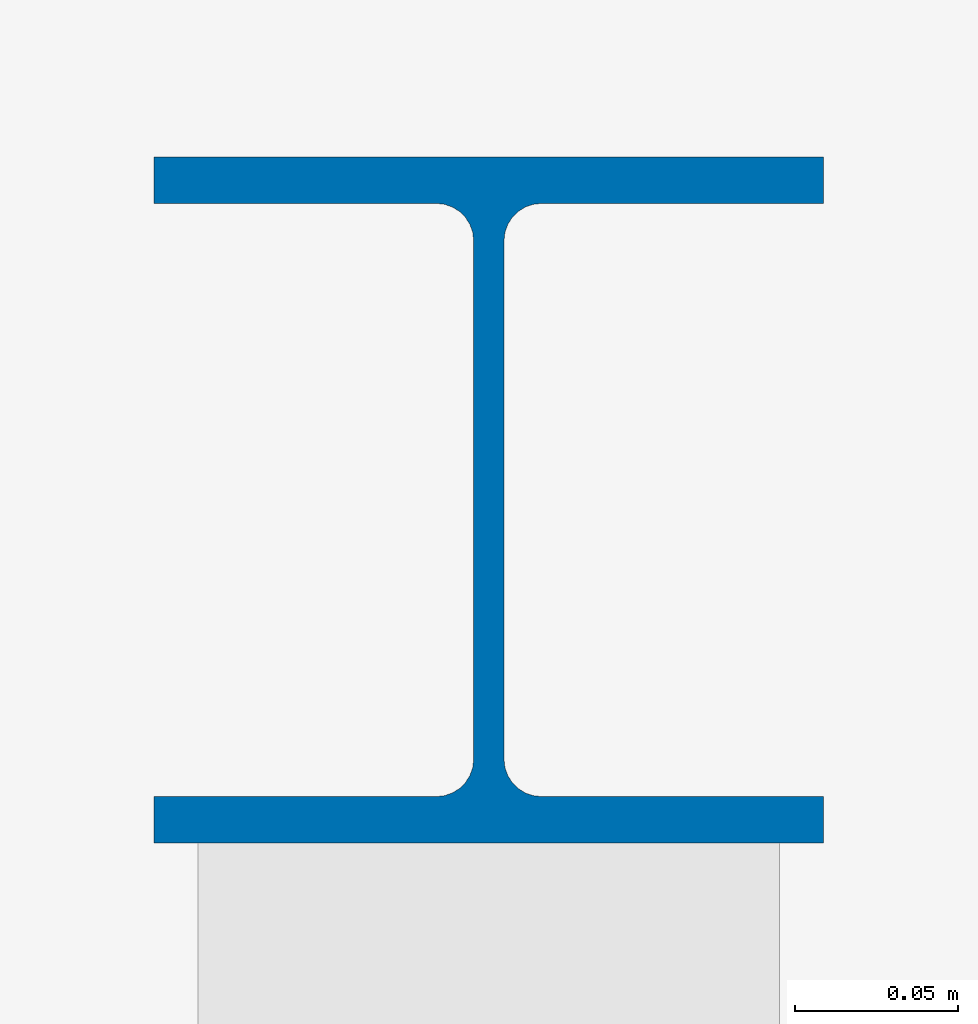
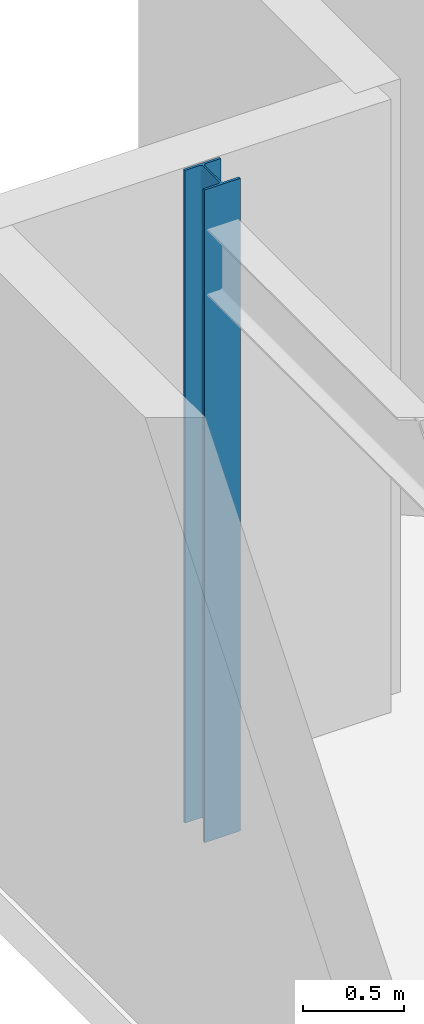
# One storey, part 4 of 16: 1 column.
"""IFC4 building model written with IfcOpenShell, lengths in metres."""

from ifc_helpers import new_model, si_unit, direction, frame, origin, origin_2d, place, context, subcontext, project, spatial, i_section, extrude, material, material_profile, profile_set, type_object, element, save


model = new_model("IFC4")

# Units and contexts
model_context = context("Model", 3, precision=1e-05, world=origin(), true_north=direction((0.0, 1.0)))
body_context = subcontext(model_context, "Body", "Model", "MODEL_VIEW")
ifc_project = project(units=[si_unit("LENGTHUNIT", "METRE"), si_unit("AREAUNIT", "SQUARE_METRE"), si_unit("VOLUMEUNIT", "CUBIC_METRE"), si_unit("PLANEANGLEUNIT", "RADIAN"), si_unit("MASSUNIT", "GRAM", prefix="KILO")], contexts=[model_context])

# Site, building, storey
site_placement = place(None, origin())
site = spatial("IfcSite", under=ifc_project, at=site_placement, CompositionType="ELEMENT")
building_placement = place(site_placement, origin())
building = spatial("IfcBuilding", under=site, at=building_placement, Name="Varnakote Quay Hospital", CompositionType="ELEMENT")
storey_placement = place(building_placement, frame((0.0, 0.0, 288.14990234375)))
storey = spatial("IfcBuildingStorey", under=building, at=storey_placement, Name="L71", CompositionType="ELEMENT", Elevation=288.14990234375)

# Column
ifc_material = material(Name="Structural steel AS/NZS 3679.1 Grade 350 L0 (fy 340 MPa)", Category="steel")
ifc_material_profile = material_profile(ifc_material, i_section(OverallWidth=0.205078125, OverallDepth=0.2099609375, WebThickness=0.00927734375, FlangeThickness=0.01416015625, FilletRadius=0.011474609375, at=origin_2d()), Name="200UC59.5")
ifc_profile_set = profile_set([ifc_material_profile], Name="Structural steel AS/NZS 3679.1 Grade 350 L0 (fy 340 MPa)")
column_type = type_object("IfcColumnType", Name="COL-STL-200UC59-5", PredefinedType="COLUMN", material=ifc_profile_set)
column_placement = place(storey_placement, frame((1.199951171875, 37.199951171875, 0.0), z_axis=(0.0, 0.0, 1.0), x_axis=(1.0, 0.0, 0.0)))
element("IfcColumn", 1, at=column_placement, inside=storey, type_object=column_type, Name="L71 Structural Column C-1-37", PredefinedType="COLUMN", context=body_context, shape_type="SweptSolid", body=[
    extrude(i_section(OverallWidth=0.205078125, OverallDepth=0.2099609375, WebThickness=0.00927734375, FlangeThickness=0.01416015625, FilletRadius=0.011474609375, at=origin_2d()), origin(), (0.0, 0.0, 1.0), 3.9501953125),
])

save(model, "model.ifc")
